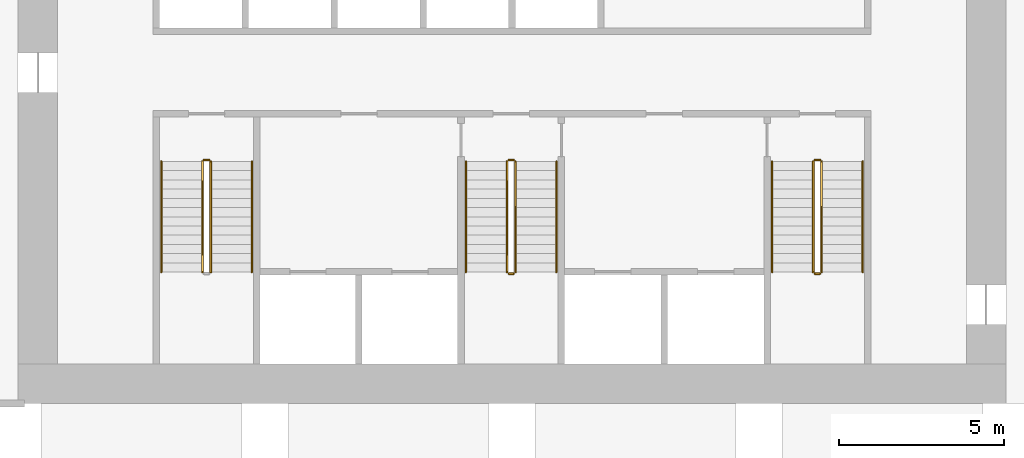
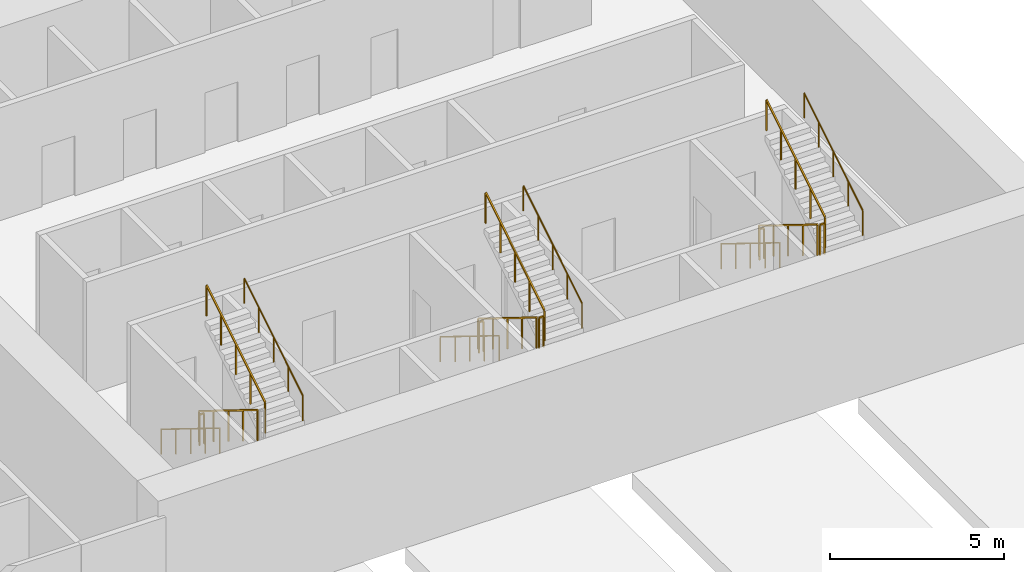
# One storey, part 12 of 13: 17 railings.
"""IFC4 building model written with IfcOpenShell, lengths in metres."""

from ifc_helpers import new_model, si_unit, direction, frame, origin, origin_2d, place, context, subcontext, project, spatial, rectangle, circle, extrude, material, type_object, element, save


model = new_model("IFC4")

# Units and contexts
model_context = context("Model", 3, precision=1e-05, world=origin(), true_north=direction((0.0, 1.0)))
body_context = subcontext(model_context, "Body", "Model", "MODEL_VIEW")
ifc_project = project(units=[si_unit("LENGTHUNIT", "METRE"), si_unit("AREAUNIT", "SQUARE_METRE"), si_unit("VOLUMEUNIT", "CUBIC_METRE"), si_unit("PLANEANGLEUNIT", "RADIAN"), si_unit("MASSUNIT", "GRAM", prefix="KILO")], contexts=[model_context])

# Site, building, storey
site_placement = place(None, origin())
site = spatial("IfcSite", under=ifc_project, at=site_placement, CompositionType="ELEMENT")
building_placement = place(site_placement, origin())
building = spatial("IfcBuilding", under=site, at=building_placement, Name="Mangrove Gate Tower", CompositionType="ELEMENT")
storey_placement = place(building_placement, frame((0.0, 0.0, 20.5)))
storey = spatial("IfcBuildingStorey", under=building, at=storey_placement, Name="L04", CompositionType="ELEMENT", Elevation=20.5)

# Railings
ifc_material_1 = material(Name="Stainless steel 316", Category="steel")
railing_type_1 = type_object("IfcRailingType", Name="Core stair guard 1100", PredefinedType="GUARDRAIL", material=ifc_material_1)
railing_1_placement = place(storey_placement, frame((-9.39990234375, -4.64990234375, 0.173095703125)))
element("IfcRailing", 1, at=railing_1_placement, inside=storey, type_object=railing_type_1, Name="L04 ST1 stair guard 1", PredefinedType="GUARDRAIL", context=body_context, shape_type="SweptSolid", body=[
    extrude(rectangle(XDim=0.048095703125, YDim=0.048095703125, at=origin_2d()), frame((0.0, 0.0, 1.076171875), z_axis=(0.0, -0.850623216509, 0.525775754039), x_axis=(1.0, 0.0, 0.0)), (0.0, 0.0, 1.0), 3.9501953125),
    extrude(rectangle(XDim=0.0419921875, YDim=0.0419921875, at=origin_2d()), origin(), (0.0, 0.0, 1.0), 1.052001953125),
    extrude(rectangle(XDim=0.0419921875, YDim=0.0419921875, at=origin_2d()), frame((0.0, -0.840087890625, 0.519287109375)), (0.0, 0.0, 1.0), 1.052001953125),
    extrude(rectangle(XDim=0.0419921875, YDim=0.0419921875, at=origin_2d()), frame((0.0, -1.68017578125, 1.03857421875)), (0.0, 0.0, 1.0), 1.052001953125),
    extrude(rectangle(XDim=0.0419921875, YDim=0.0419921875, at=origin_2d()), frame((0.0, -2.52001953125, 1.5576171875)), (0.0, 0.0, 1.0), 1.052001953125),
    extrude(rectangle(XDim=0.0419921875, YDim=0.0419921875, at=origin_2d()), frame((0.0, -3.360107421875, 2.076904296875)), (0.0, 0.0, 1.0), 1.052001953125),
])
railing_2_placement = place(storey_placement, frame((-9.14990234375, -8.010009765625, 2.423095703125)))
element("IfcRailing", 2, at=railing_2_placement, inside=storey, type_object=railing_type_1, Name="L04 ST1 stair guard 3", PredefinedType="GUARDRAIL", context=body_context, shape_type="SweptSolid", body=[
    extrude(rectangle(XDim=0.048095703125, YDim=0.048095703125, at=origin_2d()), frame((0.0, 0.0, 1.076171875), z_axis=(0.0, 0.850623216509, 0.525775754039), x_axis=(-1.0, 0.0, 0.0)), (0.0, 0.0, 1.0), 3.9501953125),
    extrude(rectangle(XDim=0.0419921875, YDim=0.0419921875, at=origin_2d()), origin(), (0.0, 0.0, 1.0), 1.052001953125),
    extrude(rectangle(XDim=0.0419921875, YDim=0.0419921875, at=origin_2d()), frame((0.0, 0.840087890625, 0.519287109375)), (0.0, 0.0, 1.0), 1.052001953125),
    extrude(rectangle(XDim=0.0419921875, YDim=0.0419921875, at=origin_2d()), frame((0.0, 1.68017578125, 1.03857421875)), (0.0, 0.0, 1.0), 1.052001953125),
    extrude(rectangle(XDim=0.0419921875, YDim=0.0419921875, at=origin_2d()), frame((0.0, 2.52001953125, 1.5576171875)), (0.0, 0.0, 1.0), 1.052001953125),
    extrude(rectangle(XDim=0.0419921875, YDim=0.0419921875, at=origin_2d()), frame((0.0, 3.360107421875, 2.076904296875)), (0.0, 0.0, 1.0), 1.052001953125),
])
railing_3_placement = place(storey_placement, frame((-9.35009765625, -4.60009765625, 0.0)))
element("IfcRailing", 3, at=railing_3_placement, inside=storey, type_object=railing_type_1, Name="L04 ST1 stair guard 4", PredefinedType="GUARDRAIL", context=body_context, shape_type="SweptSolid", body=[
    extrude(rectangle(XDim=0.048095703125, YDim=0.048095703125, at=origin_2d()), frame((0.0, 0.0, 1.076171875), z_axis=(1.0, 0.0, 0.0), x_axis=(0.0, 1.0, 0.0)), (0.0, 0.0, 1.0), 0.150146484375),
    extrude(rectangle(XDim=0.0419921875, YDim=0.0419921875, at=origin_2d()), origin(), (0.0, 0.0, 1.0), 1.052001953125),
    extrude(rectangle(XDim=0.0419921875, YDim=0.0419921875, at=origin_2d()), frame((0.150146484375, 0.0, 0.0)), (0.0, 0.0, 1.0), 1.052001953125),
])
railing_4_placement = place(storey_placement, frame((-0.14990234375, -4.64990234375, 0.173095703125)))
element("IfcRailing", 4, at=railing_4_placement, inside=storey, type_object=railing_type_1, Name="L04 ST2 stair guard 1", PredefinedType="GUARDRAIL", context=body_context, shape_type="SweptSolid", body=[
    extrude(rectangle(XDim=0.048095703125, YDim=0.048095703125, at=origin_2d()), frame((0.0, 0.0, 1.076171875), z_axis=(0.0, -0.850623216509, 0.525775754039), x_axis=(1.0, 0.0, 0.0)), (0.0, 0.0, 1.0), 3.9501953125),
    extrude(rectangle(XDim=0.0419921875, YDim=0.0419921875, at=origin_2d()), origin(), (0.0, 0.0, 1.0), 1.052001953125),
    extrude(rectangle(XDim=0.0419921875, YDim=0.0419921875, at=origin_2d()), frame((0.0, -0.840087890625, 0.519287109375)), (0.0, 0.0, 1.0), 1.052001953125),
    extrude(rectangle(XDim=0.0419921875, YDim=0.0419921875, at=origin_2d()), frame((0.0, -1.68017578125, 1.03857421875)), (0.0, 0.0, 1.0), 1.052001953125),
    extrude(rectangle(XDim=0.0419921875, YDim=0.0419921875, at=origin_2d()), frame((0.0, -2.52001953125, 1.5576171875)), (0.0, 0.0, 1.0), 1.052001953125),
    extrude(rectangle(XDim=0.0419921875, YDim=0.0419921875, at=origin_2d()), frame((0.0, -3.360107421875, 2.076904296875)), (0.0, 0.0, 1.0), 1.052001953125),
])
railing_5_placement = place(storey_placement, frame((-0.10009765625, -8.06005859375, 2.25)))
element("IfcRailing", 5, at=railing_5_placement, inside=storey, type_object=railing_type_1, Name="L04 ST2 stair guard 2", PredefinedType="GUARDRAIL", context=body_context, shape_type="SweptSolid", body=[
    extrude(rectangle(XDim=0.048095703125, YDim=0.048095703125, at=origin_2d()), frame((0.0, 0.0, 1.076171875), z_axis=(1.0, 0.0, 0.0), x_axis=(0.0, 1.0, 0.0)), (0.0, 0.0, 1.0), 0.150146484375),
    extrude(rectangle(XDim=0.0419921875, YDim=0.0419921875, at=origin_2d()), origin(), (0.0, 0.0, 1.0), 1.052001953125),
    extrude(rectangle(XDim=0.0419921875, YDim=0.0419921875, at=origin_2d()), frame((0.150146484375, 0.0, 0.0)), (0.0, 0.0, 1.0), 1.052001953125),
])
railing_6_placement = place(storey_placement, frame((0.10009765625, -8.010009765625, 2.423095703125)))
element("IfcRailing", 6, at=railing_6_placement, inside=storey, type_object=railing_type_1, Name="L04 ST2 stair guard 3", PredefinedType="GUARDRAIL", context=body_context, shape_type="SweptSolid", body=[
    extrude(rectangle(XDim=0.048095703125, YDim=0.048095703125, at=origin_2d()), frame((0.0, 0.0, 1.076171875), z_axis=(0.0, 0.850623216509, 0.525775754039), x_axis=(-1.0, 0.0, 0.0)), (0.0, 0.0, 1.0), 3.9501953125),
    extrude(rectangle(XDim=0.0419921875, YDim=0.0419921875, at=origin_2d()), origin(), (0.0, 0.0, 1.0), 1.052001953125),
    extrude(rectangle(XDim=0.0419921875, YDim=0.0419921875, at=origin_2d()), frame((0.0, 0.840087890625, 0.519287109375)), (0.0, 0.0, 1.0), 1.052001953125),
    extrude(rectangle(XDim=0.0419921875, YDim=0.0419921875, at=origin_2d()), frame((0.0, 1.68017578125, 1.03857421875)), (0.0, 0.0, 1.0), 1.052001953125),
    extrude(rectangle(XDim=0.0419921875, YDim=0.0419921875, at=origin_2d()), frame((0.0, 2.52001953125, 1.5576171875)), (0.0, 0.0, 1.0), 1.052001953125),
    extrude(rectangle(XDim=0.0419921875, YDim=0.0419921875, at=origin_2d()), frame((0.0, 3.360107421875, 2.076904296875)), (0.0, 0.0, 1.0), 1.052001953125),
])
railing_7_placement = place(storey_placement, frame((-0.10009765625, -4.60009765625, 0.0)))
element("IfcRailing", 7, at=railing_7_placement, inside=storey, type_object=railing_type_1, Name="L04 ST2 stair guard 4", PredefinedType="GUARDRAIL", context=body_context, shape_type="SweptSolid", body=[
    extrude(rectangle(XDim=0.048095703125, YDim=0.048095703125, at=origin_2d()), frame((0.0, 0.0, 1.076171875), z_axis=(1.0, 0.0, 0.0), x_axis=(0.0, 1.0, 0.0)), (0.0, 0.0, 1.0), 0.150146484375),
    extrude(rectangle(XDim=0.0419921875, YDim=0.0419921875, at=origin_2d()), origin(), (0.0, 0.0, 1.0), 1.052001953125),
    extrude(rectangle(XDim=0.0419921875, YDim=0.0419921875, at=origin_2d()), frame((0.150146484375, 0.0, 0.0)), (0.0, 0.0, 1.0), 1.052001953125),
])
railing_8_placement = place(storey_placement, frame((9.14990234375, -4.64990234375, 0.173095703125)))
element("IfcRailing", 8, at=railing_8_placement, inside=storey, type_object=railing_type_1, Name="L04 ST3 stair guard 1", PredefinedType="GUARDRAIL", context=body_context, shape_type="SweptSolid", body=[
    extrude(rectangle(XDim=0.048095703125, YDim=0.048095703125, at=origin_2d()), frame((0.0, 0.0, 1.076171875), z_axis=(0.0, -0.850623216509, 0.525775754039), x_axis=(1.0, 0.0, 0.0)), (0.0, 0.0, 1.0), 3.9501953125),
    extrude(rectangle(XDim=0.0419921875, YDim=0.0419921875, at=origin_2d()), origin(), (0.0, 0.0, 1.0), 1.052001953125),
    extrude(rectangle(XDim=0.0419921875, YDim=0.0419921875, at=origin_2d()), frame((0.0, -0.840087890625, 0.519287109375)), (0.0, 0.0, 1.0), 1.052001953125),
    extrude(rectangle(XDim=0.0419921875, YDim=0.0419921875, at=origin_2d()), frame((0.0, -1.68017578125, 1.03857421875)), (0.0, 0.0, 1.0), 1.052001953125),
    extrude(rectangle(XDim=0.0419921875, YDim=0.0419921875, at=origin_2d()), frame((0.0, -2.52001953125, 1.5576171875)), (0.0, 0.0, 1.0), 1.052001953125),
    extrude(rectangle(XDim=0.0419921875, YDim=0.0419921875, at=origin_2d()), frame((0.0, -3.360107421875, 2.076904296875)), (0.0, 0.0, 1.0), 1.052001953125),
])
railing_9_placement = place(storey_placement, frame((9.199951171875, -8.06005859375, 2.25)))
element("IfcRailing", 9, at=railing_9_placement, inside=storey, type_object=railing_type_1, Name="L04 ST3 stair guard 2", PredefinedType="GUARDRAIL", context=body_context, shape_type="SweptSolid", body=[
    extrude(rectangle(XDim=0.048095703125, YDim=0.048095703125, at=origin_2d()), frame((0.0, 0.0, 1.076171875), z_axis=(1.0, 0.0, 0.0), x_axis=(0.0, 1.0, 0.0)), (0.0, 0.0, 1.0), 0.150146484375),
    extrude(rectangle(XDim=0.0419921875, YDim=0.0419921875, at=origin_2d()), origin(), (0.0, 0.0, 1.0), 1.052001953125),
    extrude(rectangle(XDim=0.0419921875, YDim=0.0419921875, at=origin_2d()), frame((0.150146484375, 0.0, 0.0)), (0.0, 0.0, 1.0), 1.052001953125),
])
railing_10_placement = place(storey_placement, frame((9.39990234375, -8.010009765625, 2.423095703125)))
element("IfcRailing", 10, at=railing_10_placement, inside=storey, type_object=railing_type_1, Name="L04 ST3 stair guard 3", PredefinedType="GUARDRAIL", context=body_context, shape_type="SweptSolid", body=[
    extrude(rectangle(XDim=0.048095703125, YDim=0.048095703125, at=origin_2d()), frame((0.0, 0.0, 1.076171875), z_axis=(0.0, 0.850623216509, 0.525775754039), x_axis=(-1.0, 0.0, 0.0)), (0.0, 0.0, 1.0), 3.9501953125),
    extrude(rectangle(XDim=0.0419921875, YDim=0.0419921875, at=origin_2d()), origin(), (0.0, 0.0, 1.0), 1.052001953125),
    extrude(rectangle(XDim=0.0419921875, YDim=0.0419921875, at=origin_2d()), frame((0.0, 0.840087890625, 0.519287109375)), (0.0, 0.0, 1.0), 1.052001953125),
    extrude(rectangle(XDim=0.0419921875, YDim=0.0419921875, at=origin_2d()), frame((0.0, 1.68017578125, 1.03857421875)), (0.0, 0.0, 1.0), 1.052001953125),
    extrude(rectangle(XDim=0.0419921875, YDim=0.0419921875, at=origin_2d()), frame((0.0, 2.52001953125, 1.5576171875)), (0.0, 0.0, 1.0), 1.052001953125),
    extrude(rectangle(XDim=0.0419921875, YDim=0.0419921875, at=origin_2d()), frame((0.0, 3.360107421875, 2.076904296875)), (0.0, 0.0, 1.0), 1.052001953125),
])
railing_11_placement = place(storey_placement, frame((9.199951171875, -4.60009765625, 0.0)))
element("IfcRailing", 11, at=railing_11_placement, inside=storey, type_object=railing_type_1, Name="L04 ST3 stair guard 4", PredefinedType="GUARDRAIL", context=body_context, shape_type="SweptSolid", body=[
    extrude(rectangle(XDim=0.048095703125, YDim=0.048095703125, at=origin_2d()), frame((0.0, 0.0, 1.076171875), z_axis=(1.0, 0.0, 0.0), x_axis=(0.0, 1.0, 0.0)), (0.0, 0.0, 1.0), 0.150146484375),
    extrude(rectangle(XDim=0.0419921875, YDim=0.0419921875, at=origin_2d()), origin(), (0.0, 0.0, 1.0), 1.052001953125),
    extrude(rectangle(XDim=0.0419921875, YDim=0.0419921875, at=origin_2d()), frame((0.150146484375, 0.0, 0.0)), (0.0, 0.0, 1.0), 1.052001953125),
])
ifc_material_2 = material(Name="Stainless steel 316", Category="steel")
railing_type_2 = type_object("IfcRailingType", Name="Core stair handrail 900", PredefinedType="HANDRAIL", material=ifc_material_2)
railing_12_placement = place(storey_placement, frame((-10.64990234375, -4.64990234375, 0.173095703125)))
element("IfcRailing", 12, at=railing_12_placement, inside=storey, type_object=railing_type_2, Name="L04 ST1 stair handrail 1", PredefinedType="HANDRAIL", context=body_context, shape_type="SweptSolid", body=[
    extrude(circle(Radius=0.02392578125, at=origin_2d()), frame((0.0, 0.0, 0.8759765625), z_axis=(0.0, -0.850623216509, 0.525775754039), x_axis=(1.0, 0.0, 0.0)), (0.0, 0.0, 1.0), 3.9501953125),
    extrude(circle(Radius=0.02099609375, at=origin_2d()), origin(), (0.0, 0.0, 1.0), 0.851806640625),
    extrude(circle(Radius=0.02099609375, at=origin_2d()), frame((0.0, -0.840087890625, 0.519287109375)), (0.0, 0.0, 1.0), 0.851806640625),
    extrude(circle(Radius=0.02099609375, at=origin_2d()), frame((0.0, -1.68017578125, 1.03857421875)), (0.0, 0.0, 1.0), 0.851806640625),
    extrude(circle(Radius=0.02099609375, at=origin_2d()), frame((0.0, -2.52001953125, 1.5576171875)), (0.0, 0.0, 1.0), 0.851806640625),
    extrude(circle(Radius=0.02099609375, at=origin_2d()), frame((0.0, -3.360107421875, 2.076904296875)), (0.0, 0.0, 1.0), 0.851806640625),
])
railing_13_placement = place(storey_placement, frame((-7.89990234375, -8.010009765625, 2.423095703125)))
element("IfcRailing", 13, at=railing_13_placement, inside=storey, type_object=railing_type_2, Name="L04 ST1 stair handrail 2", PredefinedType="HANDRAIL", context=body_context, shape_type="SweptSolid", body=[
    extrude(circle(Radius=0.02392578125, at=origin_2d()), frame((0.0, 0.0, 0.8759765625), z_axis=(0.0, 0.850623216509, 0.525775754039), x_axis=(-1.0, 0.0, 0.0)), (0.0, 0.0, 1.0), 3.9501953125),
    extrude(circle(Radius=0.02099609375, at=origin_2d()), origin(), (0.0, 0.0, 1.0), 0.851806640625),
    extrude(circle(Radius=0.02099609375, at=origin_2d()), frame((0.0, 0.840087890625, 0.519287109375)), (0.0, 0.0, 1.0), 0.851806640625),
    extrude(circle(Radius=0.02099609375, at=origin_2d()), frame((0.0, 1.68017578125, 1.03857421875)), (0.0, 0.0, 1.0), 0.851806640625),
    extrude(circle(Radius=0.02099609375, at=origin_2d()), frame((0.0, 2.52001953125, 1.5576171875)), (0.0, 0.0, 1.0), 0.851806640625),
    extrude(circle(Radius=0.02099609375, at=origin_2d()), frame((0.0, 3.360107421875, 2.076904296875)), (0.0, 0.0, 1.0), 0.851806640625),
])
railing_14_placement = place(storey_placement, frame((-1.39990234375, -4.64990234375, 0.173095703125)))
element("IfcRailing", 14, at=railing_14_placement, inside=storey, type_object=railing_type_2, Name="L04 ST2 stair handrail 1", PredefinedType="HANDRAIL", context=body_context, shape_type="SweptSolid", body=[
    extrude(circle(Radius=0.02392578125, at=origin_2d()), frame((0.0, 0.0, 0.8759765625), z_axis=(0.0, -0.850623216509, 0.525775754039), x_axis=(1.0, 0.0, 0.0)), (0.0, 0.0, 1.0), 3.9501953125),
    extrude(circle(Radius=0.02099609375, at=origin_2d()), origin(), (0.0, 0.0, 1.0), 0.851806640625),
    extrude(circle(Radius=0.02099609375, at=origin_2d()), frame((0.0, -0.840087890625, 0.519287109375)), (0.0, 0.0, 1.0), 0.851806640625),
    extrude(circle(Radius=0.02099609375, at=origin_2d()), frame((0.0, -1.68017578125, 1.03857421875)), (0.0, 0.0, 1.0), 0.851806640625),
    extrude(circle(Radius=0.02099609375, at=origin_2d()), frame((0.0, -2.52001953125, 1.5576171875)), (0.0, 0.0, 1.0), 0.851806640625),
    extrude(circle(Radius=0.02099609375, at=origin_2d()), frame((0.0, -3.360107421875, 2.076904296875)), (0.0, 0.0, 1.0), 0.851806640625),
])
railing_15_placement = place(storey_placement, frame((1.35009765625, -8.010009765625, 2.423095703125)))
element("IfcRailing", 15, at=railing_15_placement, inside=storey, type_object=railing_type_2, Name="L04 ST2 stair handrail 2", PredefinedType="HANDRAIL", context=body_context, shape_type="SweptSolid", body=[
    extrude(circle(Radius=0.02392578125, at=origin_2d()), frame((0.0, 0.0, 0.8759765625), z_axis=(0.0, 0.850623216509, 0.525775754039), x_axis=(-1.0, 0.0, 0.0)), (0.0, 0.0, 1.0), 3.9501953125),
    extrude(circle(Radius=0.02099609375, at=origin_2d()), origin(), (0.0, 0.0, 1.0), 0.851806640625),
    extrude(circle(Radius=0.02099609375, at=origin_2d()), frame((0.0, 0.840087890625, 0.519287109375)), (0.0, 0.0, 1.0), 0.851806640625),
    extrude(circle(Radius=0.02099609375, at=origin_2d()), frame((0.0, 1.68017578125, 1.03857421875)), (0.0, 0.0, 1.0), 0.851806640625),
    extrude(circle(Radius=0.02099609375, at=origin_2d()), frame((0.0, 2.52001953125, 1.5576171875)), (0.0, 0.0, 1.0), 0.851806640625),
    extrude(circle(Radius=0.02099609375, at=origin_2d()), frame((0.0, 3.360107421875, 2.076904296875)), (0.0, 0.0, 1.0), 0.851806640625),
])
railing_16_placement = place(storey_placement, frame((7.89990234375, -4.64990234375, 0.173095703125)))
element("IfcRailing", 16, at=railing_16_placement, inside=storey, type_object=railing_type_2, Name="L04 ST3 stair handrail 1", PredefinedType="HANDRAIL", context=body_context, shape_type="SweptSolid", body=[
    extrude(circle(Radius=0.02392578125, at=origin_2d()), frame((0.0, 0.0, 0.8759765625), z_axis=(0.0, -0.850623216509, 0.525775754039), x_axis=(1.0, 0.0, 0.0)), (0.0, 0.0, 1.0), 3.9501953125),
    extrude(circle(Radius=0.02099609375, at=origin_2d()), origin(), (0.0, 0.0, 1.0), 0.851806640625),
    extrude(circle(Radius=0.02099609375, at=origin_2d()), frame((0.0, -0.840087890625, 0.519287109375)), (0.0, 0.0, 1.0), 0.851806640625),
    extrude(circle(Radius=0.02099609375, at=origin_2d()), frame((0.0, -1.68017578125, 1.03857421875)), (0.0, 0.0, 1.0), 0.851806640625),
    extrude(circle(Radius=0.02099609375, at=origin_2d()), frame((0.0, -2.52001953125, 1.5576171875)), (0.0, 0.0, 1.0), 0.851806640625),
    extrude(circle(Radius=0.02099609375, at=origin_2d()), frame((0.0, -3.360107421875, 2.076904296875)), (0.0, 0.0, 1.0), 0.851806640625),
])
railing_17_placement = place(storey_placement, frame((10.64990234375, -8.010009765625, 2.423095703125)))
element("IfcRailing", 17, at=railing_17_placement, inside=storey, type_object=railing_type_2, Name="L04 ST3 stair handrail 2", PredefinedType="HANDRAIL", context=body_context, shape_type="SweptSolid", body=[
    extrude(circle(Radius=0.02392578125, at=origin_2d()), frame((0.0, 0.0, 0.8759765625), z_axis=(0.0, 0.850623216509, 0.525775754039), x_axis=(-1.0, 0.0, 0.0)), (0.0, 0.0, 1.0), 3.9501953125),
    extrude(circle(Radius=0.02099609375, at=origin_2d()), origin(), (0.0, 0.0, 1.0), 0.851806640625),
    extrude(circle(Radius=0.02099609375, at=origin_2d()), frame((0.0, 0.840087890625, 0.519287109375)), (0.0, 0.0, 1.0), 0.851806640625),
    extrude(circle(Radius=0.02099609375, at=origin_2d()), frame((0.0, 1.68017578125, 1.03857421875)), (0.0, 0.0, 1.0), 0.851806640625),
    extrude(circle(Radius=0.02099609375, at=origin_2d()), frame((0.0, 2.52001953125, 1.5576171875)), (0.0, 0.0, 1.0), 0.851806640625),
    extrude(circle(Radius=0.02099609375, at=origin_2d()), frame((0.0, 3.360107421875, 2.076904296875)), (0.0, 0.0, 1.0), 0.851806640625),
])

save(model, "model.ifc")
